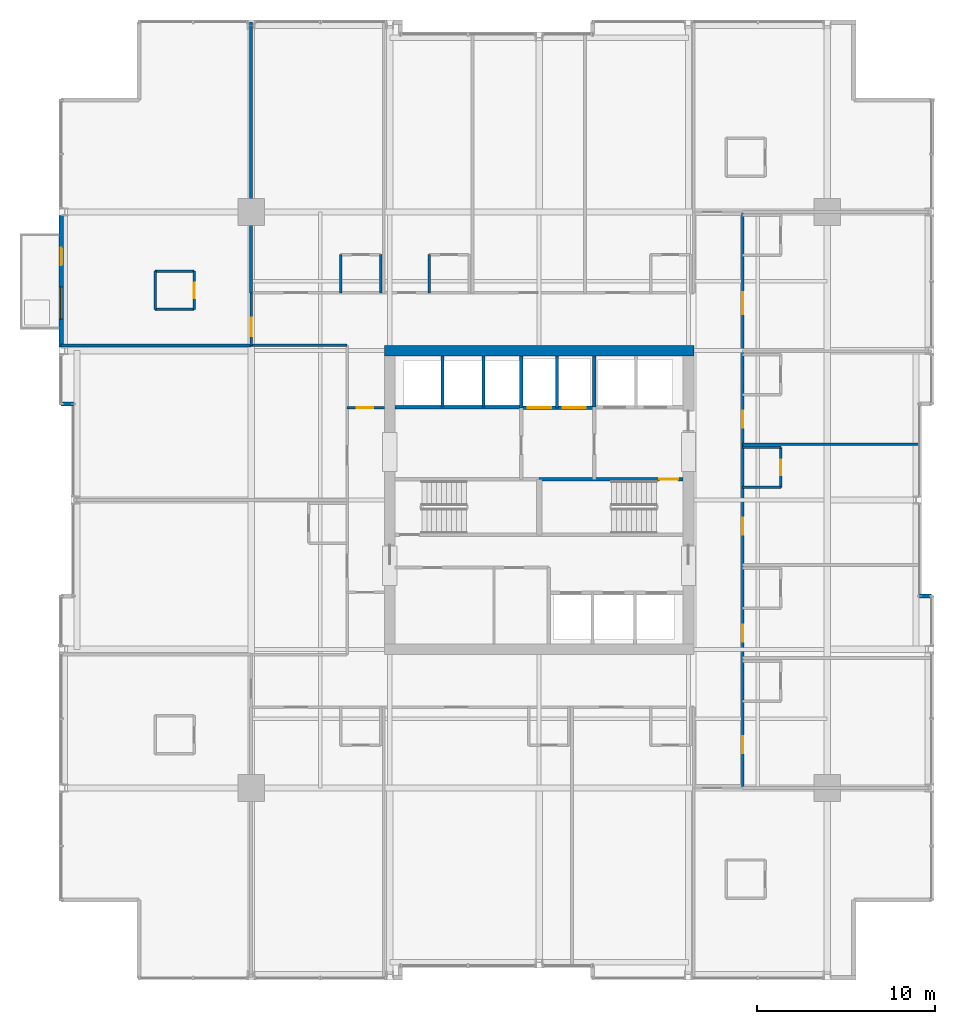
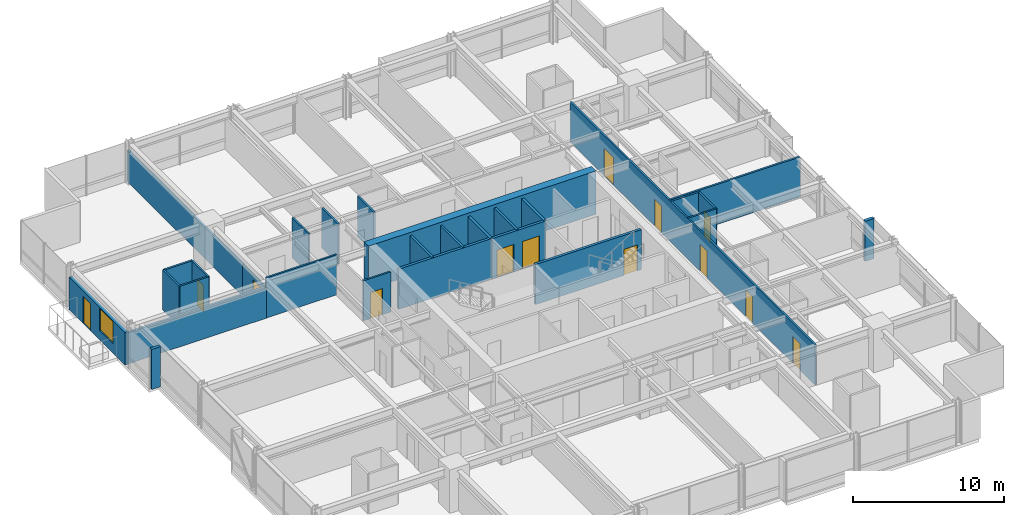
# One storey, part 30 of 34: 29 walls, 13 doors, 1 window, 14 openings.
"""IFC4 building model written with IfcOpenShell, lengths in metres."""

from ifc_helpers import new_model, si_unit, direction, frame, frame_2d, origin, place, context, subcontext, project, spatial, rectangle, extrude, material, layer, layer_set, type_object, element, fill, save


model = new_model("IFC4")

# Units and contexts
model_context = context("Model", 3, precision=1e-05, world=origin(), true_north=direction((0.0, 1.0)))
body_context = subcontext(model_context, "Body", "Model", "MODEL_VIEW")
ifc_project = project(units=[si_unit("LENGTHUNIT", "METRE"), si_unit("AREAUNIT", "SQUARE_METRE"), si_unit("VOLUMEUNIT", "CUBIC_METRE"), si_unit("PLANEANGLEUNIT", "RADIAN"), si_unit("MASSUNIT", "GRAM", prefix="KILO")], contexts=[model_context])

# Site, building, storey
site_placement = place(None, origin())
site = spatial("IfcSite", under=ifc_project, at=site_placement, CompositionType="ELEMENT")
building_placement = place(site_placement, origin())
building = spatial("IfcBuilding", under=site, at=building_placement, Name="Drelvath Grand Hotel", CompositionType="ELEMENT")
storey_placement = place(building_placement, frame((0.0, 0.0, 126.800048828125)))
storey = spatial("IfcBuildingStorey", under=building, at=storey_placement, Name="L32", CompositionType="ELEMENT", Elevation=126.800048828125)

# Wall
ifc_material_1 = material(Name="Concrete C40/50", Category="concrete")
ifc_layer_1 = layer(ifc_material_1, 0.199951171875)
ifc_layer_set_1 = layer_set([ifc_layer_1], Name="Concrete C40/50")
wall_type_1 = type_object("IfcWallType", Name="Core Hoistway Fire Wall 200", PredefinedType="SOLIDWALL", material=ifc_layer_set_1)
wall_1_placement = place(storey_placement, frame((3.10009765625, 32.219970703125, 0.0), z_axis=(0.0, 0.0, 1.0), x_axis=(0.0, 1.0, 0.0)))
element("IfcWall", 1, at=wall_1_placement, inside=storey, type_object=wall_type_1, Name="L32 FSAE Hoistway West Wall", PredefinedType="SOLIDWALL", context=body_context, shape_type="SweptSolid", body=[
    extrude(rectangle(XDim=2.880126953125, YDim=0.199951171875, at=frame_2d((1.43994140625, 0.0))), origin(), (0.0, 0.0, 1.0), 3.239990234375),
])

# Wall, openings, doors
wall_2_placement = place(storey_placement, frame((-1.0, 32.179931640625, 0.0), z_axis=(0.0, 0.0, 1.0), x_axis=(1.0, 0.0, 0.0)))
wall_2 = element("IfcWall", 2, at=wall_2_placement, inside=storey, type_object=wall_type_1, Name="L32 Service Lift Hoistway Wall", PredefinedType="SOLIDWALL", context=body_context, shape_type="SweptSolid", body=[
    extrude(rectangle(XDim=4.10009765625, YDim=0.199951171875, at=frame_2d((2.050048828125, 0.0))), origin(), (0.0, 0.0, 1.0), 3.239990234375),
])
opening_1_placement = place(wall_2_placement, frame((0.3701171875, 0.0, 0.0)))
opening_1 = element("IfcOpeningElement", 3, at=opening_1_placement, cuts=wall_2, Name="Opening LD-SV-2", PredefinedType="OPENING", context=body_context, shape_type="SweptSolid", body=[
    extrude(rectangle(XDim=1.300048828125, YDim=2.199951171875, at=frame_2d((0.64990234375, 1.10009765625))), frame((0.0, 0.10986328125, 0.0), z_axis=(0.0, -1.0, 0.0), x_axis=(1.0, 0.0, 0.0)), (0.0, 0.0, 1.0), 0.219970703125),
])
opening_2_placement = place(wall_2_placement, frame((2.330078125, 0.0, 0.0)))
opening_2 = element("IfcOpeningElement", 4, at=opening_2_placement, cuts=wall_2, Name="Opening LD-SV-1", PredefinedType="OPENING", context=body_context, shape_type="SweptSolid", body=[
    extrude(rectangle(XDim=1.300048828125, YDim=2.199951171875, at=frame_2d((0.64990234375, 1.10009765625))), frame((0.0, 0.10986328125, 0.0), z_axis=(0.0, -1.0, 0.0), x_axis=(1.0, 0.0, 0.0)), (0.0, 0.0, 1.0), 0.219970703125),
])
ifc_material_2 = material(Name="Stainless Steel S355", Category="steel")
door_type_1 = type_object("IfcDoorType", Name="Service Lift Sliding Landing Door 1300x2200", OperationType="NOTDEFINED", PredefinedType="DOOR", material=ifc_material_2)
door_1_placement = place(opening_1_placement, origin())
door_1 = element("IfcDoor", 5, at=door_1_placement, inside=storey, type_object=door_type_1, Name="L32 Lift SV-2 Landing Door", OperationType="SLIDING_TO_LEFT", OverallHeight=2.199951171875, OverallWidth=1.300048828125, PredefinedType="DOOR", context=body_context, shape_type="SweptSolid", body=[
    extrude(rectangle(XDim=1.300048828125, YDim=2.199951171875, at=frame_2d((0.64990234375, 1.10009765625))), frame((0.0, 0.02490234375, 0.0), z_axis=(0.0, -1.0, 0.0), x_axis=(1.0, 0.0, 0.0)), (0.0, 0.0, 1.0), 0.050048828125),
])
fill(opening_1, door_1)
door_2_placement = place(opening_2_placement, origin())
door_2 = element("IfcDoor", 6, at=door_2_placement, inside=storey, type_object=door_type_1, Name="L32 Lift SV-1 Landing Door", OperationType="SLIDING_TO_LEFT", OverallHeight=2.199951171875, OverallWidth=1.300048828125, PredefinedType="DOOR", context=body_context, shape_type="SweptSolid", body=[
    extrude(rectangle(XDim=1.300048828125, YDim=2.199951171875, at=frame_2d((0.64990234375, 1.10009765625))), frame((0.0, 0.02490234375, 0.0), z_axis=(0.0, -1.0, 0.0), x_axis=(1.0, 0.0, 0.0)), (0.0, 0.0, 1.0), 0.050048828125),
])
fill(opening_2, door_2)

# Walls
wall_3_placement = place(storey_placement, frame((-1.0, 32.179931640625, 0.0), z_axis=(0.0, 0.0, 1.0), x_axis=(0.0, 1.0, 0.0)))
element("IfcWall", 7, at=wall_3_placement, inside=storey, type_object=wall_type_1, Name="L32 Service Lift West Wall", PredefinedType="SOLIDWALL", context=body_context, shape_type="SweptSolid", body=[
    extrude(rectangle(XDim=2.920166015625, YDim=0.199951171875, at=frame_2d((1.4599609375, 0.0))), origin(), (0.0, 0.0, 1.0), 3.239990234375),
])
wall_4_placement = place(storey_placement, frame((-8.10009765625, 32.219970703125, 0.0), z_axis=(0.0, 0.0, 1.0), x_axis=(1.0, 0.0, 0.0)))
element("IfcWall", 8, at=wall_4_placement, inside=storey, type_object=wall_type_1, Name="L32 Bank 3 Hoistway Wall", PredefinedType="SOLIDWALL", context=body_context, shape_type="SweptSolid", body=[
    extrude(rectangle(XDim=7.10009765625, YDim=0.199951171875, at=frame_2d((3.550048828125, 0.0))), origin(), (0.0, 0.0, 1.0), 3.239990234375),
])

# Wall, opening, door
ifc_layer_2 = layer(ifc_material_1, 0.199951171875)
ifc_layer_set_2 = layer_set([ifc_layer_2], Name="Concrete C40/50")
wall_type_2 = type_object("IfcWallType", Name="Core Shaft Fire Wall 200", PredefinedType="SOLIDWALL", material=ifc_layer_set_2)
wall_5_placement = place(storey_placement, frame((8.10009765625, 28.159912109375, 0.0), z_axis=(0.0, 0.0, 1.0), x_axis=(-1.0, 0.0, 0.0)))
wall_5 = element("IfcWall", 9, at=wall_5_placement, inside=storey, type_object=wall_type_2, Name="L32 Stair ST-2 North Wall", PredefinedType="SOLIDWALL", context=body_context, shape_type="SweptSolid", body=[
    extrude(rectangle(XDim=8.10009765625, YDim=0.199951171875, at=frame_2d((4.050048828125, 0.0))), origin(), (0.0, 0.0, 1.0), 3.239990234375),
])
opening_3_placement = place(wall_5_placement, frame((0.280029296875, 0.0, 0.0)))
opening_3 = element("IfcOpeningElement", 10, at=opening_3_placement, cuts=wall_5, Name="Opening D-T2G4-002", PredefinedType="OPENING", context=body_context, shape_type="SweptSolid", body=[
    extrude(rectangle(XDim=1.050048828125, YDim=2.10009765625, at=frame_2d((0.52490234375, 1.050048828125))), frame((0.0, 0.10986328125, 0.0), z_axis=(0.0, -1.0, 0.0), x_axis=(1.0, 0.0, 0.0)), (0.0, 0.0, 1.0), 0.219970703125),
])
ifc_material_3 = material(Name="Painted Steel S275", Category="steel")
door_type_2 = type_object("IfcDoorType", Name="Tower Stairwell Fire Door 1050x2100", OperationType="NOTDEFINED", PredefinedType="DOOR", material=ifc_material_3)
door_3_placement = place(opening_3_placement, origin())
door_3 = element("IfcDoor", 11, at=door_3_placement, inside=storey, type_object=door_type_2, Name="L32 Exit Stair ST-2 Door", OperationType="SINGLE_SWING_LEFT", OverallHeight=2.10009765625, OverallWidth=1.050048828125, PredefinedType="DOOR", context=body_context, shape_type="SweptSolid", body=[
    extrude(rectangle(XDim=1.050048828125, YDim=2.10009765625, at=frame_2d((0.52490234375, 1.050048828125))), frame((0.0, 0.02490234375, 0.0), z_axis=(0.0, -1.0, 0.0), x_axis=(1.0, 0.0, 0.0)), (0.0, 0.0, 1.0), 0.050048828125),
])
fill(opening_3, door_3)

# Walls
ifc_material_4 = material(Name="Gypsum Fireboard Partition")
ifc_layer_3 = layer(ifc_material_4, 0.1650390625)
ifc_layer_set_3 = layer_set([ifc_layer_3], Name="Gypsum Fireboard Partition")
wall_type_3 = type_object("IfcWallType", Name="Core Shaft Partition 165", PredefinedType="PARTITIONING", material=ifc_layer_set_3)
wall_6_placement = place(storey_placement, frame((1.0, 32.179931640625, 0.0), z_axis=(0.0, 0.0, 1.0), x_axis=(0.0, 1.0, 0.0)))
element("IfcWall", 12, at=wall_6_placement, inside=storey, type_object=wall_type_3, Name="L32 Service Lift Divider", PredefinedType="PARTITIONING", context=body_context, shape_type="SweptSolid", body=[
    extrude(rectangle(XDim=2.920166015625, YDim=0.1650390625, at=frame_2d((1.4599609375, 0.0))), origin(), (0.0, 0.0, 1.0), 3.239990234375),
])
for number, where, z_axis, x_axis, name in (
    (13, (-5.43994140625, 32.219970703125, 0.0), (0.0, 0.0, 1.0), (0.0, 1.0, 0.0), "L32 Lift PE-7/8 Divider"),
    (14, (-3.1201171875, 32.219970703125, 0.0), (0.0, 0.0, 1.0), (0.0, 1.0, 0.0), "L32 Lift PE-8/9 Divider"),
):
    element("IfcWall", number, at=place(storey_placement, frame(where, z_axis=z_axis, x_axis=x_axis)), inside=storey, type_object=wall_type_3, Name=name, PredefinedType="PARTITIONING", context=body_context, shape_type="SweptSolid", body=[
        extrude(rectangle(XDim=2.880126953125, YDim=0.1650390625, at=frame_2d((1.43994140625, 0.0))), origin(), (0.0, 0.0, 1.0), 3.239990234375),
    ])

# Wall, opening, door
ifc_layer_4 = layer(ifc_material_4, 0.135009765625)
ifc_layer_set_4 = layer_set([ifc_layer_4], Name="Gypsum Fireboard Partition")
wall_type_4 = type_object("IfcWallType", Name="Corridor Fire Barrier Wall 135", PredefinedType="PARTITIONING", material=ifc_layer_set_4)
wall_7_placement = place(storey_placement, frame((-10.800048828125, 32.199951171875, 0.0), z_axis=(0.0, 0.0, 1.0), x_axis=(1.0, 0.0, 0.0)))
wall_7 = element("IfcWall", 15, at=wall_7_placement, inside=storey, type_object=wall_type_4, Name="L32 West Foyer North Wall", PredefinedType="PARTITIONING", context=body_context, shape_type="SweptSolid", body=[
    extrude(rectangle(XDim=2.10009765625, YDim=0.135009765625, at=frame_2d((1.050048828125, 0.0))), origin(), (0.0, 0.0, 1.0), 3.239990234375),
])
opening_4_placement = place(wall_7_placement, frame((0.550048828125, 0.0, 0.0)))
opening_4 = element("IfcOpeningElement", 16, at=opening_4_placement, cuts=wall_7, Name="Opening D-T2G4-018", PredefinedType="OPENING", context=body_context, shape_type="SweptSolid", body=[
    extrude(rectangle(XDim=0.919921875, YDim=2.10009765625, at=frame_2d((0.4599609375, 1.050048828125))), frame((0.0, 0.077392578125, 0.0), z_axis=(0.0, -1.0, 0.0), x_axis=(1.0, 0.0, 0.0)), (0.0, 0.0, 1.0), 0.155029296875),
])
door_type_3 = type_object("IfcDoorType", Name="Staff Utility Door 920x2100", OperationType="NOTDEFINED", PredefinedType="DOOR", material=ifc_material_3)
door_4_placement = place(opening_4_placement, origin())
door_4 = element("IfcDoor", 17, at=door_4_placement, inside=storey, type_object=door_type_3, Name="L32 West Pantry Door", OperationType="SINGLE_SWING_LEFT", OverallHeight=2.10009765625, OverallWidth=0.919921875, PredefinedType="DOOR", context=body_context, shape_type="SweptSolid", body=[
    extrude(rectangle(XDim=0.919921875, YDim=2.10009765625, at=frame_2d((0.4599609375, 1.050048828125))), frame((0.0, 0.02490234375, 0.0), z_axis=(0.0, -1.0, 0.0), x_axis=(1.0, 0.0, 0.0)), (0.0, 0.0, 1.0), 0.050048828125),
])
fill(opening_4, door_4)

# Wall
wall_8_placement = place(storey_placement, frame((-16.199951171875, 35.699951171875, 0.0), z_axis=(0.0, 0.0, 1.0), x_axis=(1.0, 0.0, 0.0)))
element("IfcWall", 18, at=wall_8_placement, inside=storey, type_object=wall_type_4, Name="L32 NW Stub South Wall", PredefinedType="PARTITIONING", context=body_context, shape_type="SweptSolid", body=[
    extrude(rectangle(XDim=5.39990234375, YDim=0.135009765625, at=frame_2d((2.699951171875, 0.0))), origin(), (0.0, 0.0, 1.0), 3.239990234375),
])

# Wall, openings, doors
wall_9_placement = place(storey_placement, frame((11.449951171875, 10.800048828125, 0.0), z_axis=(0.0, 0.0, 1.0), x_axis=(0.0, 1.0, 0.0)))
wall_9 = element("IfcWall", 19, at=wall_9_placement, inside=storey, type_object=wall_type_4, Name="L32 East Spine Corridor Wall", PredefinedType="PARTITIONING", context=body_context, shape_type="SweptSolid", body=[
    extrude(rectangle(XDim=32.39990234375, YDim=0.135009765625, at=frame_2d((16.199951171875, 0.0))), origin(), (0.0, 0.0, 1.0), 3.239990234375),
])
opening_5_placement = place(wall_9_placement, frame((1.963134765625, 0.0, 0.0)))
opening_5 = element("IfcOpeningElement", 20, at=opening_5_placement, cuts=wall_9, Name="Opening D-T2G4-041", PredefinedType="OPENING", context=body_context, shape_type="SweptSolid", body=[
    extrude(rectangle(XDim=0.9599609375, YDim=2.14990234375, at=frame_2d((0.47998046875, 1.074951171875))), frame((0.0, 0.077392578125, 0.0), z_axis=(0.0, -1.0, 0.0), x_axis=(1.0, 0.0, 0.0)), (0.0, 0.0, 1.0), 0.155029296875),
])
opening_6_placement = place(wall_9_placement, frame((8.23388671875, 0.0, 0.0)))
opening_6 = element("IfcOpeningElement", 21, at=opening_6_placement, cuts=wall_9, Name="Opening D-T2G4-043", PredefinedType="OPENING", context=body_context, shape_type="SweptSolid", body=[
    extrude(rectangle(XDim=0.9599609375, YDim=2.14990234375, at=frame_2d((0.47998046875, 1.074951171875))), frame((0.0, 0.077392578125, 0.0), z_axis=(0.0, -1.0, 0.0), x_axis=(1.0, 0.0, 0.0)), (0.0, 0.0, 1.0), 0.155029296875),
])
opening_7_placement = place(wall_9_placement, frame((14.24365234375, 0.0, 0.0)))
opening_7 = element("IfcOpeningElement", 22, at=opening_7_placement, cuts=wall_9, Name="Opening D-T2G4-045", PredefinedType="OPENING", context=body_context, shape_type="SweptSolid", body=[
    extrude(rectangle(XDim=0.9599609375, YDim=2.14990234375, at=frame_2d((0.47998046875, 1.074951171875))), frame((0.0, 0.077392578125, 0.0), z_axis=(0.0, -1.0, 0.0), x_axis=(1.0, 0.0, 0.0)), (0.0, 0.0, 1.0), 0.155029296875),
])
opening_8_placement = place(wall_9_placement, frame((20.25341796875, 0.0, 0.0)))
opening_8 = element("IfcOpeningElement", 23, at=opening_8_placement, cuts=wall_9, Name="Opening D-T2G4-047", PredefinedType="OPENING", context=body_context, shape_type="SweptSolid", body=[
    extrude(rectangle(XDim=0.9599609375, YDim=2.14990234375, at=frame_2d((0.47998046875, 1.074951171875))), frame((0.0, 0.077392578125, 0.0), z_axis=(0.0, -1.0, 0.0), x_axis=(1.0, 0.0, 0.0)), (0.0, 0.0, 1.0), 0.155029296875),
])
opening_9_placement = place(wall_9_placement, frame((26.6357421875, 0.0, 0.0)))
opening_9 = element("IfcOpeningElement", 24, at=opening_9_placement, cuts=wall_9, Name="Opening D-T2G4-049", PredefinedType="OPENING", context=body_context, shape_type="SweptSolid", body=[
    extrude(rectangle(XDim=1.260009765625, YDim=2.199951171875, at=frame_2d((0.6298828125, 1.10009765625))), frame((0.0, 0.077392578125, 0.0), z_axis=(0.0, -1.0, 0.0), x_axis=(1.0, 0.0, 0.0)), (0.0, 0.0, 1.0), 0.155029296875),
])
ifc_material_5 = material(Name="Hardwood Walnut Timber", Category="wood")
door_type_4 = type_object("IfcDoorType", Name="Guestroom Entrance Fire Door 960x2150", OperationType="NOTDEFINED", PredefinedType="DOOR", material=ifc_material_5)
door_5_placement = place(opening_5_placement, origin())
door_5 = element("IfcDoor", 25, at=door_5_placement, inside=storey, type_object=door_type_4, Name="L32 King Guest Room Entry Door", OperationType="SINGLE_SWING_RIGHT", OverallHeight=2.14990234375, OverallWidth=0.9599609375, PredefinedType="DOOR", context=body_context, shape_type="SweptSolid", body=[
    extrude(rectangle(XDim=0.9599609375, YDim=2.14990234375, at=frame_2d((0.47998046875, 1.074951171875))), frame((0.0, 0.02490234375, 0.0), z_axis=(0.0, -1.0, 0.0), x_axis=(1.0, 0.0, 0.0)), (0.0, 0.0, 1.0), 0.050048828125),
])
fill(opening_5, door_5)
door_6_placement = place(opening_6_placement, origin())
door_6 = element("IfcDoor", 26, at=door_6_placement, inside=storey, type_object=door_type_4, Name="L32 King Guest Room Entry Door", OperationType="SINGLE_SWING_RIGHT", OverallHeight=2.14990234375, OverallWidth=0.9599609375, PredefinedType="DOOR", context=body_context, shape_type="SweptSolid", body=[
    extrude(rectangle(XDim=0.9599609375, YDim=2.14990234375, at=frame_2d((0.47998046875, 1.074951171875))), frame((0.0, 0.02490234375, 0.0), z_axis=(0.0, -1.0, 0.0), x_axis=(1.0, 0.0, 0.0)), (0.0, 0.0, 1.0), 0.050048828125),
])
fill(opening_6, door_6)
door_7_placement = place(opening_7_placement, origin())
door_7 = element("IfcDoor", 27, at=door_7_placement, inside=storey, type_object=door_type_4, Name="L32 King Guest Room Entry Door", OperationType="SINGLE_SWING_RIGHT", OverallHeight=2.14990234375, OverallWidth=0.9599609375, PredefinedType="DOOR", context=body_context, shape_type="SweptSolid", body=[
    extrude(rectangle(XDim=0.9599609375, YDim=2.14990234375, at=frame_2d((0.47998046875, 1.074951171875))), frame((0.0, 0.02490234375, 0.0), z_axis=(0.0, -1.0, 0.0), x_axis=(1.0, 0.0, 0.0)), (0.0, 0.0, 1.0), 0.050048828125),
])
fill(opening_7, door_7)
door_8_placement = place(opening_8_placement, origin())
door_8 = element("IfcDoor", 28, at=door_8_placement, inside=storey, type_object=door_type_4, Name="L32 King Guest Room Entry Door", OperationType="SINGLE_SWING_RIGHT", OverallHeight=2.14990234375, OverallWidth=0.9599609375, PredefinedType="DOOR", context=body_context, shape_type="SweptSolid", body=[
    extrude(rectangle(XDim=0.9599609375, YDim=2.14990234375, at=frame_2d((0.47998046875, 1.074951171875))), frame((0.0, 0.02490234375, 0.0), z_axis=(0.0, -1.0, 0.0), x_axis=(1.0, 0.0, 0.0)), (0.0, 0.0, 1.0), 0.050048828125),
])
fill(opening_8, door_8)
door_type_5 = type_object("IfcDoorType", Name="Suite Entrance Fire Door 1260x2200", OperationType="NOTDEFINED", PredefinedType="DOOR", material=ifc_material_5)
door_9_placement = place(opening_9_placement, origin())
door_9 = element("IfcDoor", 29, at=door_9_placement, inside=storey, type_object=door_type_5, Name="L32 Corner Suite Entry Door", OperationType="SINGLE_SWING_RIGHT", OverallHeight=2.199951171875, OverallWidth=1.260009765625, PredefinedType="DOOR", context=body_context, shape_type="SweptSolid", body=[
    extrude(rectangle(XDim=1.260009765625, YDim=2.199951171875, at=frame_2d((0.6298828125, 1.10009765625))), frame((0.0, 0.02490234375, 0.0), z_axis=(0.0, -1.0, 0.0), x_axis=(1.0, 0.0, 0.0)), (0.0, 0.0, 1.0), 0.050048828125),
])
fill(opening_9, door_9)

# Wall, opening, door
wall_10_placement = place(storey_placement, frame((-16.199951171875, 35.699951171875, 0.0), z_axis=(0.0, 0.0, 1.0), x_axis=(0.0, 1.0, 0.0)))
wall_10 = element("IfcWall", 30, at=wall_10_placement, inside=storey, type_object=wall_type_4, Name="L32 North Stub West End", PredefinedType="PARTITIONING", context=body_context, shape_type="SweptSolid", body=[
    extrude(rectangle(XDim=2.949951171875, YDim=0.135009765625, at=frame_2d((1.47509765625, 0.0))), origin(), (0.0, 0.0, 1.0), 2.529541015625),
])
opening_10_placement = place(wall_10_placement, frame((0.52001953125, 0.0, 0.0)))
opening_10 = element("IfcOpeningElement", 31, at=opening_10_placement, cuts=wall_10, Name="Opening D-T2G4-022", PredefinedType="OPENING", context=body_context, shape_type="SweptSolid", body=[
    extrude(rectangle(XDim=1.02001953125, YDim=2.14990234375, at=frame_2d((0.510009765625, 1.074951171875))), frame((0.0, 0.077392578125, 0.0), z_axis=(0.0, -1.0, 0.0), x_axis=(1.0, 0.0, 0.0)), (0.0, 0.0, 1.0), 0.155029296875),
])
door_type_6 = type_object("IfcDoorType", Name="Amenity Meeting Fire Door 1020x2150", OperationType="NOTDEFINED", PredefinedType="DOOR", material=ifc_material_5)
door_10_placement = place(opening_10_placement, origin())
door_10 = element("IfcDoor", 32, at=door_10_placement, inside=storey, type_object=door_type_6, Name="L32 Corner Suite Entry Door", OperationType="SINGLE_SWING_LEFT", OverallHeight=2.14990234375, OverallWidth=1.02001953125, PredefinedType="DOOR", context=body_context, shape_type="SweptSolid", body=[
    extrude(rectangle(XDim=1.02001953125, YDim=2.14990234375, at=frame_2d((0.510009765625, 1.074951171875))), frame((0.0, 0.02490234375, 0.0), z_axis=(0.0, -1.0, 0.0), x_axis=(1.0, 0.0, 0.0)), (0.0, 0.0, 1.0), 0.050048828125),
])
fill(opening_10, door_10)

# Walls
ifc_material_6 = material(Name="Moisture-Resistant Gypsum Board")
ifc_layer_5 = layer(ifc_material_6, 0.139892578125)
ifc_layer_set_5 = layer_set([ifc_layer_5], Name="Moisture-Resistant Gypsum Board")
wall_type_5 = type_object("IfcWallType", Name="En-Suite Plumbing Wall 140", PredefinedType="PLUMBINGWALL", material=ifc_layer_set_5)
for number, where, z_axis, x_axis, name in (
    (33, (-21.60009765625, 37.719970703125, 0.0), (0.0, 0.0, 1.0), (1.0, 0.0, 0.0), "L32 Corner En-Suite South"),
    (34, (-21.60009765625, 39.8701171875, 0.0), (0.0, 0.0, 1.0), (1.0, 0.0, 0.0), "L32 Corner En-Suite North"),
):
    element("IfcWall", number, at=place(storey_placement, frame(where, z_axis=z_axis, x_axis=x_axis)), inside=storey, type_object=wall_type_5, Name=name, PredefinedType="PLUMBINGWALL", context=body_context, shape_type="SweptSolid", body=[
        extrude(rectangle(XDim=2.2001953125, YDim=0.139892578125, at=frame_2d((1.10009765625, 0.0))), origin(), (0.0, 0.0, 1.0), 3.239990234375),
    ])
wall_11_placement = place(storey_placement, frame((-21.60009765625, 37.719970703125, 0.0), z_axis=(0.0, 0.0, 1.0), x_axis=(0.0, 1.0, 0.0)))
element("IfcWall", 35, at=wall_11_placement, inside=storey, type_object=wall_type_5, Name="L32 Corner En-Suite West", PredefinedType="PLUMBINGWALL", context=body_context, shape_type="SweptSolid", body=[
    extrude(rectangle(XDim=2.150146484375, YDim=0.139892578125, at=frame_2d((1.0751953125, 0.0))), origin(), (0.0, 0.0, 1.0), 3.239990234375),
])

# Wall, opening, door
wall_12_placement = place(storey_placement, frame((-19.39990234375, 37.719970703125, 0.0), z_axis=(0.0, 0.0, 1.0), x_axis=(0.0, 1.0, 0.0)))
wall_12 = element("IfcWall", 36, at=wall_12_placement, inside=storey, type_object=wall_type_5, Name="L32 Corner En-Suite East", PredefinedType="PLUMBINGWALL", context=body_context, shape_type="SweptSolid", body=[
    extrude(rectangle(XDim=2.150146484375, YDim=0.139892578125, at=frame_2d((1.0751953125, 0.0))), origin(), (0.0, 0.0, 1.0), 3.239990234375),
])
opening_11_placement = place(wall_12_placement, frame((0.6201171875, 0.0, 0.0)))
opening_11 = element("IfcOpeningElement", 37, at=opening_11_placement, cuts=wall_12, Name="Opening D-T2G4-021", PredefinedType="OPENING", context=body_context, shape_type="SweptSolid", body=[
    extrude(rectangle(XDim=0.8798828125, YDim=2.10009765625, at=frame_2d((0.43994140625, 1.050048828125))), frame((0.0, 0.079833984375, 0.0), z_axis=(0.0, -1.0, 0.0), x_axis=(1.0, 0.0, 0.0)), (0.0, 0.0, 1.0), 0.159912109375),
])
door_type_7 = type_object("IfcDoorType", Name="En-Suite Bathroom Door 880x2100", OperationType="NOTDEFINED", PredefinedType="DOOR", material=ifc_material_5)
door_11_placement = place(opening_11_placement, origin())
door_11 = element("IfcDoor", 38, at=door_11_placement, inside=storey, type_object=door_type_7, Name="L32 Corner En-Suite Door", OperationType="SINGLE_SWING_RIGHT", OverallHeight=2.10009765625, OverallWidth=0.8798828125, PredefinedType="DOOR", context=body_context, shape_type="SweptSolid", body=[
    extrude(rectangle(XDim=0.8798828125, YDim=2.10009765625, at=frame_2d((0.43994140625, 1.050048828125))), frame((0.0, 0.02490234375, 0.0), z_axis=(0.0, -1.0, 0.0), x_axis=(1.0, 0.0, 0.0)), (0.0, 0.0, 1.0), 0.050048828125),
])
fill(opening_11, door_11)

# Walls
for number, where, z_axis, x_axis, name in (
    (39, (-11.159912109375, 38.64990234375, 0.0), (0.0, 0.0, 1.0), (0.0, 1.0, 0.0), "L32 En-Suite Left Wall"),
    (40, (-8.909912109375, 38.64990234375, 0.0), (0.0, 0.0, 1.0), (0.0, 1.0, 0.0), "L32 En-Suite Right Wall"),
    (41, (-6.179931640625, 38.64990234375, 0.0), (0.0, 0.0, 1.0), (0.0, 1.0, 0.0), "L32 En-Suite Left Wall"),
    (42, (11.449951171875, 27.70556640625, 0.0), (0.0, 0.0, 1.0), (1.0, 0.0, 0.0), "L32 En-Suite Left Wall"),
    (43, (11.449951171875, 29.95556640625, 0.0), (0.0, 0.0, 1.0), (1.0, 0.0, 0.0), "L32 En-Suite Right Wall"),
):
    element("IfcWall", number, at=place(storey_placement, frame(where, z_axis=z_axis, x_axis=x_axis)), inside=storey, type_object=wall_type_5, Name=name, PredefinedType="PLUMBINGWALL", context=body_context, shape_type="SweptSolid", body=[
        extrude(rectangle(XDim=2.150146484375, YDim=0.139892578125, at=frame_2d((1.0751953125, 0.0))), origin(), (0.0, 0.0, 1.0), 3.239990234375),
    ])

# Wall, opening, door
wall_13_placement = place(storey_placement, frame((13.60009765625, 27.70556640625, 0.0), z_axis=(0.0, 0.0, 1.0), x_axis=(0.0, 1.0, 0.0)))
wall_13 = element("IfcWall", 44, at=wall_13_placement, inside=storey, type_object=wall_type_5, Name="L32 En-Suite Front Wall", PredefinedType="PLUMBINGWALL", context=body_context, shape_type="SweptSolid", body=[
    extrude(rectangle(XDim=2.25, YDim=0.139892578125, at=frame_2d((1.125, 0.0))), origin(), (0.0, 0.0, 1.0), 3.239990234375),
])
opening_12_placement = place(wall_13_placement, frame((0.68505859375, 0.0, 0.0)))
opening_12 = element("IfcOpeningElement", 45, at=opening_12_placement, cuts=wall_13, Name="Opening D-T2G4-044", PredefinedType="OPENING", context=body_context, shape_type="SweptSolid", body=[
    extrude(rectangle(XDim=0.8798828125, YDim=2.10009765625, at=frame_2d((0.43994140625, 1.050048828125))), frame((0.0, 0.079833984375, 0.0), z_axis=(0.0, -1.0, 0.0), x_axis=(1.0, 0.0, 0.0)), (0.0, 0.0, 1.0), 0.159912109375),
])
door_12_placement = place(opening_12_placement, origin())
door_12 = element("IfcDoor", 46, at=door_12_placement, inside=storey, type_object=door_type_7, Name="L32 En-Suite Bathroom Door", OperationType="SINGLE_SWING_LEFT", OverallHeight=2.10009765625, OverallWidth=0.8798828125, PredefinedType="DOOR", context=body_context, shape_type="SweptSolid", body=[
    extrude(rectangle(XDim=0.8798828125, YDim=2.10009765625, at=frame_2d((0.43994140625, 1.050048828125))), frame((0.0, 0.02490234375, 0.0), z_axis=(0.0, -1.0, 0.0), x_axis=(1.0, 0.0, 0.0)), (0.0, 0.0, 1.0), 0.050048828125),
])
fill(opening_12, door_12)

# Walls
ifc_material_7 = material(Name="Gypsum Acoustic Partition")
ifc_layer_6 = layer(ifc_material_7, 0.14990234375)
ifc_layer_set_6 = layer_set([ifc_layer_6], Name="Gypsum Acoustic Partition")
wall_type_6 = type_object("IfcWallType", Name="Guestroom Demising Wall 150", PredefinedType="PARTITIONING", material=ifc_layer_set_6)
wall_14_placement = place(storey_placement, frame((11.449951171875, 30.135498046875, 0.0), z_axis=(0.0, 0.0, 1.0), x_axis=(1.0, 0.0, 0.0)))
element("IfcWall", 47, at=wall_14_placement, inside=storey, type_object=wall_type_6, Name="L32 East Demising 3", PredefinedType="PARTITIONING", context=body_context, shape_type="SweptSolid", body=[
    extrude(rectangle(XDim=9.949951171875, YDim=0.14990234375, at=frame_2d((4.97509765625, 0.0))), origin(), (0.0, 0.0, 1.0), 3.239990234375),
])
ifc_material_8 = material(Name="Concrete f'c 70 MPa", Category="concrete")
ifc_layer_7 = layer(ifc_material_8, 0.60009765625)
ifc_layer_set_7 = layer_set([ifc_layer_7], Name="Concrete f'c 70 MPa")
wall_type_7 = type_object("IfcWallType", Name="Lower Core RC Shear Wall 600", PredefinedType="SHEAR", material=ifc_layer_set_7)
wall_15_placement = place(storey_placement, frame((-8.699951171875, 35.39990234375, 0.0), z_axis=(0.0, 0.0, 1.0), x_axis=(1.0, 0.0, 0.0)))
element("IfcWall", 48, at=wall_15_placement, inside=storey, type_object=wall_type_7, Name="L32 Central Core Shear Wall N", PredefinedType="SHEAR", context=body_context, shape_type="SweptSolid", body=[
    extrude(rectangle(XDim=17.39990234375, YDim=0.60009765625, at=frame_2d((8.699951171875, 0.0))), origin(), (0.0, 0.0, 1.0), 3.5),
])
ifc_layer_8 = layer(ifc_material_7, 0.1650390625)
ifc_layer_set_8 = layer_set([ifc_layer_8], Name="Gypsum Acoustic Partition")
wall_type_8 = type_object("IfcWallType", Name="Suite Demising Wall 165", PredefinedType="PARTITIONING", material=ifc_layer_set_8)
wall_16_placement = place(storey_placement, frame((-16.199951171875, 38.64990234375, 0.0), z_axis=(0.0, 0.0, 1.0), x_axis=(0.0, 1.0, 0.0)))
element("IfcWall", 49, at=wall_16_placement, inside=storey, type_object=wall_type_8, Name="L32 NW Suite East Wall", PredefinedType="PARTITIONING", context=body_context, shape_type="SweptSolid", body=[
    extrude(rectangle(XDim=15.22998046875, YDim=0.1650390625, at=frame_2d((7.614990234375, 0.0))), origin(), (0.0, 0.0, 1.0), 2.529541015625),
])
wall_17_placement = place(storey_placement, frame((-26.8798828125, 35.699951171875, 0.0), z_axis=(0.0, 0.0, 1.0), x_axis=(1.0, 0.0, 0.0)))
element("IfcWall", 50, at=wall_17_placement, inside=storey, type_object=wall_type_8, Name="L32 NW Suite South Wall", PredefinedType="PARTITIONING", context=body_context, shape_type="SweptSolid", body=[
    extrude(rectangle(XDim=10.679931640625, YDim=0.1650390625, at=frame_2d((5.33984375, 0.0))), origin(), (0.0, 0.0, 1.0), 2.529541015625),
])

# Wall, openings, window, door
ifc_material_9 = material(Name="Pale-Metal Insulated Aluminium Spandrel Assembly", Category="aluminium")
ifc_layer_9 = layer(ifc_material_9, 0.239990234375)
ifc_layer_set_9 = layer_set([ifc_layer_9], Name="Pale-Metal Insulated Aluminium Spandrel Assembly")
wall_type_9 = type_object("IfcWallType", Name="Tower Insulated Metal Spandrel Closure Wall 240", PredefinedType="STANDARD", material=ifc_layer_set_9)
wall_18_placement = place(storey_placement, frame((-26.8798828125, 35.609375, 0.0), z_axis=(0.0, 0.0, 1.0), x_axis=(0.0, 1.0, 0.0)))
wall_18 = element("IfcWall", 51, at=wall_18_placement, inside=storey, type_object=wall_type_9, Name="L32 Exterior Terrace Door Bay Wall WN2", PredefinedType="STANDARD", context=body_context, shape_type="SweptSolid", body=[
    extrude(rectangle(XDim=7.381103515625, YDim=0.239990234375, at=frame_2d((3.6904296875, 0.0))), origin(), (0.0, 0.0, 1.0), 2.628662109375),
])
opening_13_placement = place(wall_18_placement, frame((4.590576171875, 0.0, 0.0)))
opening_13 = element("IfcOpeningElement", 52, at=opening_13_placement, cuts=wall_18, Name="Opening TD-1000", PredefinedType="OPENING", context=body_context, shape_type="SweptSolid", body=[
    extrude(rectangle(XDim=1.0, YDim=2.199951171875, at=frame_2d((0.5, 1.10009765625))), frame((0.0, 0.1298828125, 0.0), z_axis=(0.0, -1.0, 0.0), x_axis=(1.0, 0.0, 0.0)), (0.0, 0.0, 1.0), 0.260009765625),
])
opening_14_placement = place(wall_18_placement, frame((1.56982421875, 0.0, 0.75)))
opening_14 = element("IfcOpeningElement", 53, at=opening_14_placement, cuts=wall_18, Name="Opening W-02", PredefinedType="OPENING", context=body_context, shape_type="SweptSolid", body=[
    extrude(rectangle(XDim=1.800048828125, YDim=1.77880859375, at=frame_2d((0.89990234375, 0.889404296875))), frame((0.0, 0.1298828125, 0.0), z_axis=(0.0, -1.0, 0.0), x_axis=(1.0, 0.0, 0.0)), (0.0, 0.0, 1.0), 0.260009765625),
])
ifc_material_10 = material(Name="Bronze Anodised Low-E Triple Glazing", Category="glass")
window_type = type_object("IfcWindowType", Name="Chicago Double-Pane Podium Window 1800x2400", PartitioningType="DOUBLE_PANEL_VERTICAL", PredefinedType="WINDOW", material=ifc_material_10)
window_placement = place(opening_14_placement, origin())
window = element("IfcWindow", 54, at=window_placement, inside=storey, type_object=window_type, Name="L32 Terrace Bay Companion Window WN2", OverallHeight=1.77880859375, OverallWidth=1.800048828125, PartitioningType="SINGLE_PANEL", PredefinedType="WINDOW", context=body_context, shape_type="SweptSolid", body=[
    extrude(rectangle(XDim=1.800048828125, YDim=1.77880859375, at=frame_2d((0.89990234375, 0.889404296875))), frame((0.0, 0.030029296875, 0.0), z_axis=(0.0, -1.0, 0.0), x_axis=(1.0, 0.0, 0.0)), (0.0, 0.0, 1.0), 0.06005859375),
])
fill(opening_14, window)
ifc_material_11 = material(Name="Anodised Aluminium Thermally Broken Glazed Door", Category="aluminium")
door_type_8 = type_object("IfcDoorType", Name="Terrace and Tree Balcony Glazed Door 1000x2200", OperationType="NOTDEFINED", PredefinedType="DOOR", material=ifc_material_11)
door_13_placement = place(opening_13_placement, origin())
door_13 = element("IfcDoor", 55, at=door_13_placement, inside=storey, type_object=door_type_8, Name="L32 Tree Balcony Door DOOR-L32-TBAL-1", OperationType="SINGLE_SWING_RIGHT", OverallHeight=2.199951171875, OverallWidth=1.0, PredefinedType="DOOR", context=body_context, shape_type="SweptSolid", body=[
    extrude(rectangle(XDim=1.0, YDim=2.199951171875, at=frame_2d((0.5, 1.10009765625))), frame((0.0, 0.02490234375, 0.0), z_axis=(0.0, -1.0, 0.0), x_axis=(1.0, 0.0, 0.0)), (0.0, 0.0, 1.0), 0.050048828125),
])
fill(opening_13, door_13)

# Walls
wall_19_placement = place(storey_placement, frame((-26.199951171875, 32.39990234375, 0.0), z_axis=(0.0, 0.0, 1.0), x_axis=(-1.0, 0.0, 0.0)))
element("IfcWall", 56, at=wall_19_placement, inside=storey, type_object=wall_type_9, Name="L32 Notched Corner Return Spandrel Wall RW2", PredefinedType="STANDARD", context=body_context, shape_type="SweptSolid", body=[
    extrude(rectangle(XDim=0.679931640625, YDim=0.239990234375, at=frame_2d((0.33984375, 0.0))), origin(), (0.0, 0.0, 1.0), 3.239990234375),
])
wall_20_placement = place(storey_placement, frame((21.39990234375, 21.60009765625, 0.0), z_axis=(0.0, 0.0, 1.0), x_axis=(1.0, 0.0, 0.0)))
element("IfcWall", 57, at=wall_20_placement, inside=storey, type_object=wall_type_9, Name="L32 Notched Corner Return Spandrel Wall RE2", PredefinedType="STANDARD", context=body_context, shape_type="SweptSolid", body=[
    extrude(rectangle(XDim=0.68017578125, YDim=0.239990234375, at=frame_2d((0.340087890625, 0.0))), origin(), (0.0, 0.0, 1.0), 3.239990234375),
])

save(model, "model.ifc")
